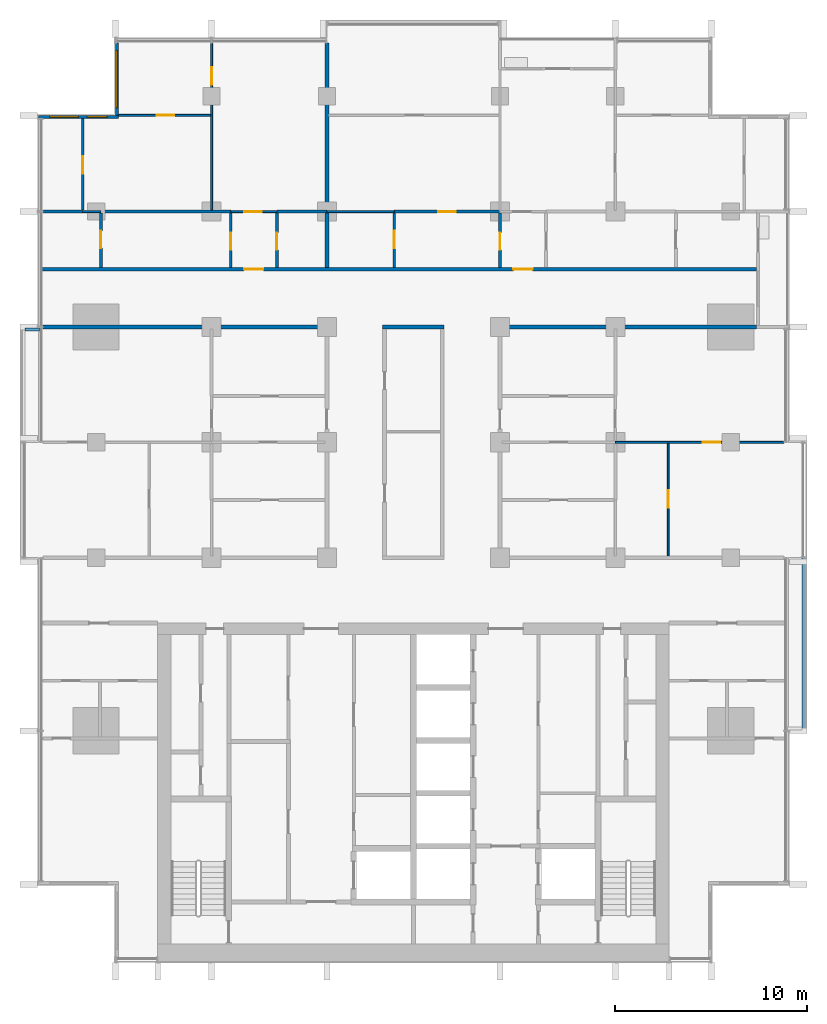
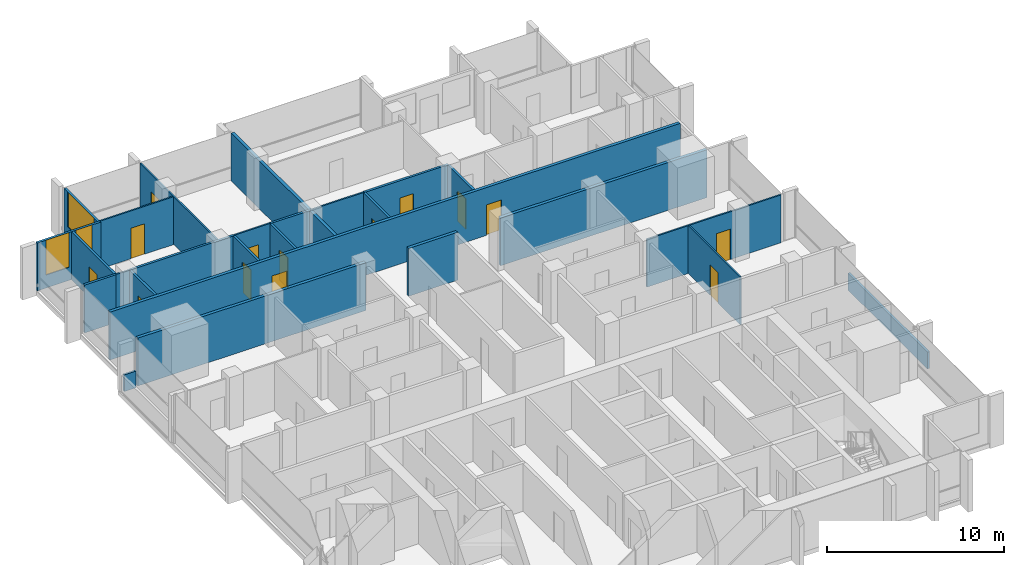
# One storey, part 10 of 17: 27 walls, 14 doors, 3 windows, 17 openings.
"""IFC4 building model written with IfcOpenShell, lengths in metres."""

from ifc_helpers import new_model, si_unit, direction, frame, frame_2d, origin, place, context, subcontext, project, spatial, rectangle, extrude, material, layer, layer_set, type_object, element, fill, save


model = new_model("IFC4")

# Units and contexts
model_context = context("Model", 3, precision=1e-05, world=origin(), true_north=direction((0.0, 1.0)))
body_context = subcontext(model_context, "Body", "Model", "MODEL_VIEW")
ifc_project = project(units=[si_unit("LENGTHUNIT", "METRE"), si_unit("AREAUNIT", "SQUARE_METRE"), si_unit("VOLUMEUNIT", "CUBIC_METRE"), si_unit("PLANEANGLEUNIT", "RADIAN"), si_unit("MASSUNIT", "GRAM", prefix="KILO")], contexts=[model_context])

# Site, building, storey
site_placement = place(None, origin())
site = spatial("IfcSite", under=ifc_project, at=site_placement, CompositionType="ELEMENT")
building_placement = place(site_placement, origin())
building = spatial("IfcBuilding", under=site, at=building_placement, Name="Finial Court Residences", CompositionType="ELEMENT")
storey_placement = place(building_placement, frame((0.0, 0.0, 170.89990234375)))
storey = spatial("IfcBuildingStorey", under=building, at=storey_placement, Name="L42", CompositionType="ELEMENT", Elevation=170.89990234375)

# Walls
ifc_material_1 = material(Name="Gypsum board")
ifc_layer_1 = layer(ifc_material_1, 0.02490234375)
ifc_material_2 = material(Name="Acoustic mineral wool in double frame")
ifc_layer_2 = layer(ifc_material_2, 0.14990234375)
ifc_layer_3 = layer(ifc_material_1, 0.02490234375)
ifc_layer_set_1 = layer_set([ifc_layer_1, ifc_layer_2, ifc_layer_3], Name="Acoustic party wall 200, 1 hour")
wall_type_1 = type_object("IfcWallType", Name="Acoustic party wall 200, 1 hour", PredefinedType="PARTITIONING", material=ifc_layer_set_1)
wall_1_placement = place(storey_placement, frame((-4.5, 10.60009765625, 0.0), z_axis=(0.0, 0.0, 1.0), x_axis=(0.0, 1.0, 0.0)))
element("IfcWall", 1, at=wall_1_placement, inside=storey, type_object=wall_type_1, Name="Partition L42-048", PredefinedType="PARTITIONING", context=body_context, shape_type="SweptSolid", body=[
    extrude(rectangle(XDim=2.824951171875, YDim=0.199951171875, at=frame_2d((1.41259765625, 0.0))), origin(), (0.0, 0.0, 1.0), 3.300048828125),
])
wall_2_placement = place(storey_placement, frame((-4.5, 13.574951171875, 0.0), z_axis=(0.0, 0.0, 1.0), x_axis=(0.0, 1.0, 0.0)))
element("IfcWall", 2, at=wall_2_placement, inside=storey, type_object=wall_type_1, Name="Partition L42-049", PredefinedType="PARTITIONING", context=body_context, shape_type="SweptSolid", body=[
    extrude(rectangle(XDim=8.6875, YDim=0.199951171875, at=frame_2d((4.34375, 0.0))), origin(), (0.0, 0.0, 1.0), 3.300048828125),
])
ifc_layer_4 = layer(ifc_material_1, 0.02490234375)
ifc_layer_5 = layer(ifc_material_2, 0.14990234375)
ifc_layer_6 = layer(ifc_material_1, 0.02490234375)
ifc_layer_set_2 = layer_set([ifc_layer_4, ifc_layer_5, ifc_layer_6], Name="Corridor wall 200, 1 hour")
wall_type_2 = type_object("IfcWallType", Name="Corridor wall 200, 1 hour", PredefinedType="PARTITIONING", material=ifc_layer_set_2)
wall_3_placement = place(storey_placement, frame((-19.262451171875, 7.5, 0.0), z_axis=(0.0, 0.0, 1.0), x_axis=(1.0, 0.0, 0.0)))
element("IfcWall", 3, at=wall_3_placement, inside=storey, type_object=wall_type_2, Name="Partition L42-018", PredefinedType="PARTITIONING", context=body_context, shape_type="SweptSolid", body=[
    extrude(rectangle(XDim=14.862548828125, YDim=0.199951171875, at=frame_2d((7.43115234375, 0.0))), origin(), (0.0, 0.0, 1.0), 3.300048828125),
])
wall_4_placement = place(storey_placement, frame((-1.60009765625, 7.5, 0.0), z_axis=(0.0, 0.0, 1.0), x_axis=(1.0, 0.0, 0.0)))
element("IfcWall", 4, at=wall_4_placement, inside=storey, type_object=wall_type_2, Name="Partition L42-019", PredefinedType="PARTITIONING", context=body_context, shape_type="SweptSolid", body=[
    extrude(rectangle(XDim=3.2001953125, YDim=0.199951171875, at=frame_2d((1.60009765625, 0.0))), origin(), (0.0, 0.0, 1.0), 3.300048828125),
])
wall_5_placement = place(storey_placement, frame((4.39990234375, 7.5, 0.0), z_axis=(0.0, 0.0, 1.0), x_axis=(1.0, 0.0, 0.0)))
element("IfcWall", 5, at=wall_5_placement, inside=storey, type_object=wall_type_2, Name="Partition L42-020", PredefinedType="PARTITIONING", context=body_context, shape_type="SweptSolid", body=[
    extrude(rectangle(XDim=13.4501953125, YDim=0.199951171875, at=frame_2d((6.72509765625, 0.0))), origin(), (0.0, 0.0, 1.0), 3.300048828125),
])

# Wall, openings, doors
wall_6_placement = place(storey_placement, frame((-19.35009765625, 10.5, 0.0), z_axis=(0.0, 0.0, 1.0), x_axis=(1.0, 0.0, 0.0)))
wall_6 = element("IfcWall", 6, at=wall_6_placement, inside=storey, type_object=wall_type_2, Name="Partition L42-021", PredefinedType="PARTITIONING", context=body_context, shape_type="SweptSolid", body=[
    extrude(rectangle(XDim=37.2001953125, YDim=0.199951171875, at=frame_2d((18.60009765625, 0.0))), origin(), (0.0, 0.0, 1.0), 3.300048828125),
])
opening_1_placement = place(wall_6_placement, frame((10.550048828125, 0.0, 0.0)))
opening_1 = element("IfcOpeningElement", 7, at=opening_1_placement, cuts=wall_6, Name="Opening L42-D017", PredefinedType="OPENING", context=body_context, shape_type="SweptSolid", body=[
    extrude(rectangle(XDim=1.0, YDim=2.10009765625, at=frame_2d((0.5, 1.050048828125))), frame((0.0, 0.10986328125, 0.0), z_axis=(0.0, -1.0, 0.0), x_axis=(1.0, 0.0, 0.0)), (0.0, 0.0, 1.0), 0.219970703125),
])
opening_2_placement = place(wall_6_placement, frame((24.550048828125, 0.0, 0.0)))
opening_2 = element("IfcOpeningElement", 8, at=opening_2_placement, cuts=wall_6, Name="Opening L42-D018", PredefinedType="OPENING", context=body_context, shape_type="SweptSolid", body=[
    extrude(rectangle(XDim=1.0, YDim=2.10009765625, at=frame_2d((0.5, 1.050048828125))), frame((0.0, 0.10986328125, 0.0), z_axis=(0.0, -1.0, 0.0), x_axis=(1.0, 0.0, 0.0)), (0.0, 0.0, 1.0), 0.219970703125),
])
ifc_material_3 = material(Name="Timber door leaf in hollow metal frame", Category="wood")
door_type_1 = type_object("IfcDoorType", Name="Fire door set 1000 x 2100, 30 minutes", OperationType="SINGLE_SWING_LEFT", PredefinedType="DOOR", material=ifc_material_3)
door_1_placement = place(opening_1_placement, origin())
door_1 = element("IfcDoor", 9, at=door_1_placement, inside=storey, type_object=door_type_1, Name="Door L42-D017", OperationType="SINGLE_SWING_RIGHT", OverallHeight=2.10009765625, OverallWidth=1.0, PredefinedType="DOOR", context=body_context, shape_type="SweptSolid", body=[
    extrude(rectangle(XDim=1.0, YDim=2.10009765625, at=frame_2d((0.5, 1.050048828125))), frame((0.0, 0.02490234375, 0.0), z_axis=(0.0, -1.0, 0.0), x_axis=(1.0, 0.0, 0.0)), (0.0, 0.0, 1.0), 0.050048828125),
])
fill(opening_1, door_1)
door_2_placement = place(opening_2_placement, origin())
door_2 = element("IfcDoor", 10, at=door_2_placement, inside=storey, type_object=door_type_1, Name="Door L42-D018", OperationType="SINGLE_SWING_LEFT", OverallHeight=2.10009765625, OverallWidth=1.0, PredefinedType="DOOR", context=body_context, shape_type="SweptSolid", body=[
    extrude(rectangle(XDim=1.0, YDim=2.10009765625, at=frame_2d((0.5, 1.050048828125))), frame((0.0, 0.02490234375, 0.0), z_axis=(0.0, -1.0, 0.0), x_axis=(1.0, 0.0, 0.0)), (0.0, 0.0, 1.0), 0.050048828125),
])
fill(opening_2, door_2)

# Wall, opening, door
ifc_layer_7 = layer(ifc_material_1, 0.012451171875)
ifc_material_4 = material(Name="Mineral wool in light-gauge frame")
ifc_layer_8 = layer(ifc_material_4, 0.074951171875)
ifc_layer_9 = layer(ifc_material_1, 0.012451171875)
ifc_layer_set_3 = layer_set([ifc_layer_7, ifc_layer_8, ifc_layer_9], Name="Gypsum board partition 100")
wall_type_3 = type_object("IfcWallType", Name="Gypsum board partition 100", PredefinedType="PARTITIONING", material=ifc_layer_set_3)
wall_7_placement = place(storey_placement, frame((10.5, 1.5, 0.0), z_axis=(0.0, 0.0, 1.0), x_axis=(1.0, 0.0, 0.0)))
wall_7 = element("IfcWall", 11, at=wall_7_placement, inside=storey, type_object=wall_type_3, Name="Partition L42-012", PredefinedType="PARTITIONING", context=body_context, shape_type="SweptSolid", body=[
    extrude(rectangle(XDim=8.762451171875, YDim=0.10009765625, at=frame_2d((4.38134765625, 0.0))), origin(), (0.0, 0.0, 1.0), 3.300048828125),
])
opening_3_placement = place(wall_7_placement, frame((4.550048828125, 0.0, 0.0)))
opening_3 = element("IfcOpeningElement", 12, at=opening_3_placement, cuts=wall_7, Name="Opening L42-D012", PredefinedType="OPENING", context=body_context, shape_type="SweptSolid", body=[
    extrude(rectangle(XDim=0.89990234375, YDim=2.10009765625, at=frame_2d((0.449951171875, 1.050048828125))), frame((0.0, 0.06005859375, 0.0), z_axis=(0.0, -1.0, 0.0), x_axis=(1.0, 0.0, 0.0)), (0.0, 0.0, 1.0), 0.1201171875),
])
ifc_material_5 = material(Name="Timber door leaf in timber frame", Category="wood")
door_type_2 = type_object("IfcDoorType", Name="Door set 900 x 2100", OperationType="SINGLE_SWING_LEFT", PredefinedType="DOOR", material=ifc_material_5)
door_3_placement = place(opening_3_placement, origin())
door_3 = element("IfcDoor", 13, at=door_3_placement, inside=storey, type_object=door_type_2, Name="Door L42-D012", OperationType="SINGLE_SWING_RIGHT", OverallHeight=2.10009765625, OverallWidth=0.89990234375, PredefinedType="DOOR", context=body_context, shape_type="SweptSolid", body=[
    extrude(rectangle(XDim=0.89990234375, YDim=2.10009765625, at=frame_2d((0.449951171875, 1.050048828125))), frame((0.0, 0.02490234375, 0.0), z_axis=(0.0, -1.0, 0.0), x_axis=(1.0, 0.0, 0.0)), (0.0, 0.0, 1.0), 0.050048828125),
])
fill(opening_3, door_3)

# Wall
wall_8_placement = place(storey_placement, frame((-17.199951171875, 13.5, 0.0), z_axis=(0.0, 0.0, 1.0), x_axis=(1.0, 0.0, 0.0)))
element("IfcWall", 14, at=wall_8_placement, inside=storey, type_object=wall_type_3, Name="Partition L42-022", PredefinedType="PARTITIONING", context=body_context, shape_type="SweptSolid", body=[
    extrude(rectangle(XDim=0.949951171875, YDim=0.10009765625, at=frame_2d((0.47509765625, 0.0))), origin(), (0.0, 0.0, 1.0), 3.300048828125),
])

# Wall, opening, door
wall_9_placement = place(storey_placement, frame((-9.5, 13.5, 0.0), z_axis=(0.0, 0.0, 1.0), x_axis=(1.0, 0.0, 0.0)))
wall_9 = element("IfcWall", 15, at=wall_9_placement, inside=storey, type_object=wall_type_3, Name="Partition L42-023", PredefinedType="PARTITIONING", context=body_context, shape_type="SweptSolid", body=[
    extrude(rectangle(XDim=2.39990234375, YDim=0.10009765625, at=frame_2d((1.199951171875, 0.0))), origin(), (0.0, 0.0, 1.0), 3.300048828125),
])
opening_4_placement = place(wall_9_placement, frame((0.699951171875, 0.0, 0.0)))
opening_4 = element("IfcOpeningElement", 16, at=opening_4_placement, cuts=wall_9, Name="Opening L42-D019", PredefinedType="OPENING", context=body_context, shape_type="SweptSolid", body=[
    extrude(rectangle(XDim=0.89990234375, YDim=2.10009765625, at=frame_2d((0.449951171875, 1.050048828125))), frame((0.0, 0.06005859375, 0.0), z_axis=(0.0, -1.0, 0.0), x_axis=(1.0, 0.0, 0.0)), (0.0, 0.0, 1.0), 0.1201171875),
])
door_4_placement = place(opening_4_placement, origin())
door_4 = element("IfcDoor", 17, at=door_4_placement, inside=storey, type_object=door_type_2, Name="Door L42-D019", OperationType="SINGLE_SWING_LEFT", OverallHeight=2.10009765625, OverallWidth=0.89990234375, PredefinedType="DOOR", context=body_context, shape_type="SweptSolid", body=[
    extrude(rectangle(XDim=0.89990234375, YDim=2.10009765625, at=frame_2d((0.449951171875, 1.050048828125))), frame((0.0, 0.02490234375, 0.0), z_axis=(0.0, -1.0, 0.0), x_axis=(1.0, 0.0, 0.0)), (0.0, 0.0, 1.0), 0.050048828125),
])
fill(opening_4, door_4)

# Wall
wall_10_placement = place(storey_placement, frame((-4.5, 13.5, 0.0), z_axis=(0.0, 0.0, 1.0), x_axis=(1.0, 0.0, 0.0)))
element("IfcWall", 18, at=wall_10_placement, inside=storey, type_object=wall_type_3, Name="Partition L42-024", PredefinedType="PARTITIONING", context=body_context, shape_type="SweptSolid", body=[
    extrude(rectangle(XDim=3.5, YDim=0.10009765625, at=frame_2d((1.75, 0.0))), origin(), (0.0, 0.0, 1.0), 3.300048828125),
])

# Wall, opening, door
wall_11_placement = place(storey_placement, frame((-15.35009765625, 18.5, 0.0), z_axis=(0.0, 0.0, 1.0), x_axis=(1.0, 0.0, 0.0)))
wall_11 = element("IfcWall", 19, at=wall_11_placement, inside=storey, type_object=wall_type_3, Name="Partition L42-033", PredefinedType="PARTITIONING", context=body_context, shape_type="SweptSolid", body=[
    extrude(rectangle(XDim=4.800048828125, YDim=0.10009765625, at=frame_2d((2.39990234375, 0.0))), origin(), (0.0, 0.0, 1.0), 3.300048828125),
])
opening_5_placement = place(wall_11_placement, frame((2.0, 0.0, 0.0)))
opening_5 = element("IfcOpeningElement", 20, at=opening_5_placement, cuts=wall_11, Name="Opening L42-D022", PredefinedType="OPENING", context=body_context, shape_type="SweptSolid", body=[
    extrude(rectangle(XDim=0.89990234375, YDim=2.10009765625, at=frame_2d((0.449951171875, 1.050048828125))), frame((0.0, 0.06005859375, 0.0), z_axis=(0.0, -1.0, 0.0), x_axis=(1.0, 0.0, 0.0)), (0.0, 0.0, 1.0), 0.1201171875),
])
door_5_placement = place(opening_5_placement, origin())
door_5 = element("IfcDoor", 21, at=door_5_placement, inside=storey, type_object=door_type_2, Name="Door L42-D022", OperationType="SINGLE_SWING_RIGHT", OverallHeight=2.10009765625, OverallWidth=0.89990234375, PredefinedType="DOOR", context=body_context, shape_type="SweptSolid", body=[
    extrude(rectangle(XDim=0.89990234375, YDim=2.10009765625, at=frame_2d((0.449951171875, 1.050048828125))), frame((0.0, 0.02490234375, 0.0), z_axis=(0.0, -1.0, 0.0), x_axis=(1.0, 0.0, 0.0)), (0.0, 0.0, 1.0), 0.050048828125),
])
fill(opening_5, door_5)

wall_12_placement = place(storey_placement, frame((-10.5, 13.574951171875, 0.0), z_axis=(0.0, 0.0, 1.0), x_axis=(0.0, 1.0, 0.0)))
wall_12 = element("IfcWall", 22, at=wall_12_placement, inside=storey, type_object=wall_type_3, Name="Partition L42-042", PredefinedType="PARTITIONING", context=body_context, shape_type="SweptSolid", body=[
    extrude(rectangle(XDim=8.6875, YDim=0.10009765625, at=frame_2d((4.34375, 0.0))), origin(), (0.0, 0.0, 1.0), 3.300048828125),
])
opening_6_placement = place(wall_12_placement, frame((6.52490234375, 0.0, 0.0)))
opening_6 = element("IfcOpeningElement", 23, at=opening_6_placement, cuts=wall_12, Name="Opening L42-D029", PredefinedType="OPENING", context=body_context, shape_type="SweptSolid", body=[
    extrude(rectangle(XDim=0.89990234375, YDim=2.10009765625, at=frame_2d((0.449951171875, 1.050048828125))), frame((0.0, 0.06005859375, 0.0), z_axis=(0.0, -1.0, 0.0), x_axis=(1.0, 0.0, 0.0)), (0.0, 0.0, 1.0), 0.1201171875),
])
door_6_placement = place(opening_6_placement, origin())
door_6 = element("IfcDoor", 24, at=door_6_placement, inside=storey, type_object=door_type_2, Name="Door L42-D029", OperationType="SINGLE_SWING_LEFT", OverallHeight=2.10009765625, OverallWidth=0.89990234375, PredefinedType="DOOR", context=body_context, shape_type="SweptSolid", body=[
    extrude(rectangle(XDim=0.89990234375, YDim=2.10009765625, at=frame_2d((0.449951171875, 1.050048828125))), frame((0.0, 0.02490234375, 0.0), z_axis=(0.0, -1.0, 0.0), x_axis=(1.0, 0.0, 0.0)), (0.0, 0.0, 1.0), 0.050048828125),
])
fill(opening_6, door_6)

wall_13_placement = place(storey_placement, frame((13.25, -4.39990234375, 0.0), z_axis=(0.0, 0.0, 1.0), x_axis=(0.0, 1.0, 0.0)))
wall_13 = element("IfcWall", 25, at=wall_13_placement, inside=storey, type_object=wall_type_3, Name="Partition L42-062", PredefinedType="PARTITIONING", context=body_context, shape_type="SweptSolid", body=[
    extrude(rectangle(XDim=5.849853515625, YDim=0.10009765625, at=frame_2d((2.9248046875, 0.0))), origin(), (0.0, 0.0, 1.0), 3.300048828125),
])
opening_7_placement = place(wall_13_placement, frame((2.5, 0.0, 0.0)))
opening_7 = element("IfcOpeningElement", 26, at=opening_7_placement, cuts=wall_13, Name="Opening L42-D041", PredefinedType="OPENING", context=body_context, shape_type="SweptSolid", body=[
    extrude(rectangle(XDim=0.89990234375, YDim=2.10009765625, at=frame_2d((0.449951171875, 1.050048828125))), frame((0.0, 0.06005859375, 0.0), z_axis=(0.0, -1.0, 0.0), x_axis=(1.0, 0.0, 0.0)), (0.0, 0.0, 1.0), 0.1201171875),
])
door_7_placement = place(opening_7_placement, origin())
door_7 = element("IfcDoor", 27, at=door_7_placement, inside=storey, type_object=door_type_2, Name="Door L42-D041", OperationType="SINGLE_SWING_LEFT", OverallHeight=2.10009765625, OverallWidth=0.89990234375, PredefinedType="DOOR", context=body_context, shape_type="SweptSolid", body=[
    extrude(rectangle(XDim=0.89990234375, YDim=2.10009765625, at=frame_2d((0.449951171875, 1.050048828125))), frame((0.0, 0.02490234375, 0.0), z_axis=(0.0, -1.0, 0.0), x_axis=(1.0, 0.0, 0.0)), (0.0, 0.0, 1.0), 0.050048828125),
])
fill(opening_7, door_7)

# Walls
ifc_material_6 = material(Name="Moisture-resistant gypsum board")
ifc_layer_10 = layer(ifc_material_6, 0.012451171875)
ifc_layer_11 = layer(ifc_material_4, 0.125)
ifc_layer_12 = layer(ifc_material_6, 0.012451171875)
ifc_layer_set_4 = layer_set([ifc_layer_10, ifc_layer_11, ifc_layer_12], Name="Gypsum board wet-area partition 150")
wall_type_4 = type_object("IfcWallType", Name="Gypsum board wet-area partition 150", PredefinedType="PARTITIONING", material=ifc_layer_set_4)
wall_14_placement = place(storey_placement, frame((-19.262451171875, 13.5, 0.0), z_axis=(0.0, 0.0, 1.0), x_axis=(1.0, 0.0, 0.0)))
element("IfcWall", 28, at=wall_14_placement, inside=storey, type_object=wall_type_4, Name="Partition L42-027", PredefinedType="PARTITIONING", context=body_context, shape_type="SweptSolid", body=[
    extrude(rectangle(XDim=2.0625, YDim=0.14990234375, at=frame_2d((1.03125, 0.0))), origin(), (0.0, 0.0, 1.0), 3.300048828125),
])
wall_15_placement = place(storey_placement, frame((-16.25, 13.5, 0.0), z_axis=(0.0, 0.0, 1.0), x_axis=(1.0, 0.0, 0.0)))
element("IfcWall", 29, at=wall_15_placement, inside=storey, type_object=wall_type_4, Name="Partition L42-028", PredefinedType="PARTITIONING", context=body_context, shape_type="SweptSolid", body=[
    extrude(rectangle(XDim=6.75, YDim=0.14990234375, at=frame_2d((3.375, 0.0))), origin(), (0.0, 0.0, 1.0), 3.300048828125),
])
wall_16_placement = place(storey_placement, frame((-7.10009765625, 13.5, 0.0), z_axis=(0.0, 0.0, 1.0), x_axis=(1.0, 0.0, 0.0)))
element("IfcWall", 30, at=wall_16_placement, inside=storey, type_object=wall_type_4, Name="Partition L42-029", PredefinedType="PARTITIONING", context=body_context, shape_type="SweptSolid", body=[
    extrude(rectangle(XDim=2.60009765625, YDim=0.14990234375, at=frame_2d((1.300048828125, 0.0))), origin(), (0.0, 0.0, 1.0), 3.300048828125),
])

# Wall, opening, door
wall_17_placement = place(storey_placement, frame((-1.0, 13.5, 0.0), z_axis=(0.0, 0.0, 1.0), x_axis=(1.0, 0.0, 0.0)))
wall_17 = element("IfcWall", 31, at=wall_17_placement, inside=storey, type_object=wall_type_4, Name="Partition L42-030", PredefinedType="PARTITIONING", context=body_context, shape_type="SweptSolid", body=[
    extrude(rectangle(XDim=5.5, YDim=0.14990234375, at=frame_2d((2.75, 0.0))), origin(), (0.0, 0.0, 1.0), 3.300048828125),
])
opening_8_placement = place(wall_17_placement, frame((2.300048828125, 0.0, 0.0)))
opening_8 = element("IfcOpeningElement", 32, at=opening_8_placement, cuts=wall_17, Name="Opening L42-D021", PredefinedType="OPENING", context=body_context, shape_type="SweptSolid", body=[
    extrude(rectangle(XDim=0.89990234375, YDim=2.10009765625, at=frame_2d((0.449951171875, 1.050048828125))), frame((0.0, 0.0849609375, 0.0), z_axis=(0.0, -1.0, 0.0), x_axis=(1.0, 0.0, 0.0)), (0.0, 0.0, 1.0), 0.169921875),
])
door_8_placement = place(opening_8_placement, origin())
door_8 = element("IfcDoor", 33, at=door_8_placement, inside=storey, type_object=door_type_2, Name="Door L42-D021", OperationType="SINGLE_SWING_LEFT", OverallHeight=2.10009765625, OverallWidth=0.89990234375, PredefinedType="DOOR", context=body_context, shape_type="SweptSolid", body=[
    extrude(rectangle(XDim=0.89990234375, YDim=2.10009765625, at=frame_2d((0.449951171875, 1.050048828125))), frame((0.0, 0.02490234375, 0.0), z_axis=(0.0, -1.0, 0.0), x_axis=(1.0, 0.0, 0.0)), (0.0, 0.0, 1.0), 0.050048828125),
])
fill(opening_8, door_8)

wall_18_placement = place(storey_placement, frame((-17.199951171875, 13.574951171875, 0.0), z_axis=(0.0, 0.0, 1.0), x_axis=(0.0, 1.0, 0.0)))
wall_18 = element("IfcWall", 34, at=wall_18_placement, inside=storey, type_object=wall_type_4, Name="Partition L42-036", PredefinedType="PARTITIONING", context=body_context, shape_type="SweptSolid", body=[
    extrude(rectangle(XDim=4.775146484375, YDim=0.14990234375, at=frame_2d((2.3876953125, 0.0))), origin(), (0.0, 0.0, 1.0), 3.300048828125),
])
opening_9_placement = place(wall_18_placement, frame((1.89990234375, 0.0, 0.0)))
opening_9 = element("IfcOpeningElement", 35, at=opening_9_placement, cuts=wall_18, Name="Opening L42-D025", PredefinedType="OPENING", context=body_context, shape_type="SweptSolid", body=[
    extrude(rectangle(XDim=0.89990234375, YDim=2.10009765625, at=frame_2d((0.449951171875, 1.050048828125))), frame((0.0, 0.0849609375, 0.0), z_axis=(0.0, -1.0, 0.0), x_axis=(1.0, 0.0, 0.0)), (0.0, 0.0, 1.0), 0.169921875),
])
door_9_placement = place(opening_9_placement, origin())
door_9 = element("IfcDoor", 36, at=door_9_placement, inside=storey, type_object=door_type_2, Name="Door L42-D025", OperationType="SINGLE_SWING_LEFT", OverallHeight=2.10009765625, OverallWidth=0.89990234375, PredefinedType="DOOR", context=body_context, shape_type="SweptSolid", body=[
    extrude(rectangle(XDim=0.89990234375, YDim=2.10009765625, at=frame_2d((0.449951171875, 1.050048828125))), frame((0.0, 0.02490234375, 0.0), z_axis=(0.0, -1.0, 0.0), x_axis=(1.0, 0.0, 0.0)), (0.0, 0.0, 1.0), 0.050048828125),
])
fill(opening_9, door_9)

wall_19_placement = place(storey_placement, frame((-16.25, 10.60009765625, 0.0), z_axis=(0.0, 0.0, 1.0), x_axis=(0.0, 1.0, 0.0)))
wall_19 = element("IfcWall", 37, at=wall_19_placement, inside=storey, type_object=wall_type_4, Name="Partition L42-038", PredefinedType="PARTITIONING", context=body_context, shape_type="SweptSolid", body=[
    extrude(rectangle(XDim=2.824951171875, YDim=0.14990234375, at=frame_2d((1.41259765625, 0.0))), origin(), (0.0, 0.0, 1.0), 3.300048828125),
])
opening_10_placement = place(wall_19_placement, frame((1.0, 0.0, 0.0)))
opening_10 = element("IfcOpeningElement", 38, at=opening_10_placement, cuts=wall_19, Name="Opening L42-D026", PredefinedType="OPENING", context=body_context, shape_type="SweptSolid", body=[
    extrude(rectangle(XDim=0.89990234375, YDim=2.10009765625, at=frame_2d((0.449951171875, 1.050048828125))), frame((0.0, 0.0849609375, 0.0), z_axis=(0.0, -1.0, 0.0), x_axis=(1.0, 0.0, 0.0)), (0.0, 0.0, 1.0), 0.169921875),
])
door_10_placement = place(opening_10_placement, origin())
door_10 = element("IfcDoor", 39, at=door_10_placement, inside=storey, type_object=door_type_2, Name="Door L42-D026", OperationType="SINGLE_SWING_RIGHT", OverallHeight=2.10009765625, OverallWidth=0.89990234375, PredefinedType="DOOR", context=body_context, shape_type="SweptSolid", body=[
    extrude(rectangle(XDim=0.89990234375, YDim=2.10009765625, at=frame_2d((0.449951171875, 1.050048828125))), frame((0.0, 0.02490234375, 0.0), z_axis=(0.0, -1.0, 0.0), x_axis=(1.0, 0.0, 0.0)), (0.0, 0.0, 1.0), 0.050048828125),
])
fill(opening_10, door_10)

wall_20_placement = place(storey_placement, frame((-9.5, 10.60009765625, 0.0), z_axis=(0.0, 0.0, 1.0), x_axis=(0.0, 1.0, 0.0)))
wall_20 = element("IfcWall", 40, at=wall_20_placement, inside=storey, type_object=wall_type_4, Name="Partition L42-045", PredefinedType="PARTITIONING", context=body_context, shape_type="SweptSolid", body=[
    extrude(rectangle(XDim=2.824951171875, YDim=0.14990234375, at=frame_2d((1.41259765625, 0.0))), origin(), (0.0, 0.0, 1.0), 3.300048828125),
])
opening_11_placement = place(wall_20_placement, frame((0.89990234375, 0.0, 0.0)))
opening_11 = element("IfcOpeningElement", 41, at=opening_11_placement, cuts=wall_20, Name="Opening L42-D030", PredefinedType="OPENING", context=body_context, shape_type="SweptSolid", body=[
    extrude(rectangle(XDim=0.89990234375, YDim=2.10009765625, at=frame_2d((0.449951171875, 1.050048828125))), frame((0.0, 0.0849609375, 0.0), z_axis=(0.0, -1.0, 0.0), x_axis=(1.0, 0.0, 0.0)), (0.0, 0.0, 1.0), 0.169921875),
])
door_11_placement = place(opening_11_placement, origin())
door_11 = element("IfcDoor", 42, at=door_11_placement, inside=storey, type_object=door_type_2, Name="Door L42-D030", OperationType="SINGLE_SWING_LEFT", OverallHeight=2.10009765625, OverallWidth=0.89990234375, PredefinedType="DOOR", context=body_context, shape_type="SweptSolid", body=[
    extrude(rectangle(XDim=0.89990234375, YDim=2.10009765625, at=frame_2d((0.449951171875, 1.050048828125))), frame((0.0, 0.02490234375, 0.0), z_axis=(0.0, -1.0, 0.0), x_axis=(1.0, 0.0, 0.0)), (0.0, 0.0, 1.0), 0.050048828125),
])
fill(opening_11, door_11)

wall_21_placement = place(storey_placement, frame((-7.10009765625, 10.60009765625, 0.0), z_axis=(0.0, 0.0, 1.0), x_axis=(0.0, 1.0, 0.0)))
wall_21 = element("IfcWall", 43, at=wall_21_placement, inside=storey, type_object=wall_type_4, Name="Partition L42-046", PredefinedType="PARTITIONING", context=body_context, shape_type="SweptSolid", body=[
    extrude(rectangle(XDim=2.824951171875, YDim=0.14990234375, at=frame_2d((1.41259765625, 0.0))), origin(), (0.0, 0.0, 1.0), 3.300048828125),
])
opening_12_placement = place(wall_21_placement, frame((0.89990234375, 0.0, 0.0)))
opening_12 = element("IfcOpeningElement", 44, at=opening_12_placement, cuts=wall_21, Name="Opening L42-D031", PredefinedType="OPENING", context=body_context, shape_type="SweptSolid", body=[
    extrude(rectangle(XDim=0.89990234375, YDim=2.10009765625, at=frame_2d((0.449951171875, 1.050048828125))), frame((0.0, 0.0849609375, 0.0), z_axis=(0.0, -1.0, 0.0), x_axis=(1.0, 0.0, 0.0)), (0.0, 0.0, 1.0), 0.169921875),
])
door_12_placement = place(opening_12_placement, origin())
door_12 = element("IfcDoor", 45, at=door_12_placement, inside=storey, type_object=door_type_2, Name="Door L42-D031", OperationType="SINGLE_SWING_RIGHT", OverallHeight=2.10009765625, OverallWidth=0.89990234375, PredefinedType="DOOR", context=body_context, shape_type="SweptSolid", body=[
    extrude(rectangle(XDim=0.89990234375, YDim=2.10009765625, at=frame_2d((0.449951171875, 1.050048828125))), frame((0.0, 0.02490234375, 0.0), z_axis=(0.0, -1.0, 0.0), x_axis=(1.0, 0.0, 0.0)), (0.0, 0.0, 1.0), 0.050048828125),
])
fill(opening_12, door_12)

wall_22_placement = place(storey_placement, frame((-1.0, 10.60009765625, 0.0), z_axis=(0.0, 0.0, 1.0), x_axis=(0.0, 1.0, 0.0)))
wall_22 = element("IfcWall", 46, at=wall_22_placement, inside=storey, type_object=wall_type_4, Name="Partition L42-051", PredefinedType="PARTITIONING", context=body_context, shape_type="SweptSolid", body=[
    extrude(rectangle(XDim=2.824951171875, YDim=0.14990234375, at=frame_2d((1.41259765625, 0.0))), origin(), (0.0, 0.0, 1.0), 3.300048828125),
])
opening_13_placement = place(wall_22_placement, frame((1.0, 0.0, 0.0)))
opening_13 = element("IfcOpeningElement", 47, at=opening_13_placement, cuts=wall_22, Name="Opening L42-D035", PredefinedType="OPENING", context=body_context, shape_type="SweptSolid", body=[
    extrude(rectangle(XDim=0.89990234375, YDim=2.10009765625, at=frame_2d((0.449951171875, 1.050048828125))), frame((0.0, 0.0849609375, 0.0), z_axis=(0.0, -1.0, 0.0), x_axis=(1.0, 0.0, 0.0)), (0.0, 0.0, 1.0), 0.169921875),
])
door_13_placement = place(opening_13_placement, origin())
door_13 = element("IfcDoor", 48, at=door_13_placement, inside=storey, type_object=door_type_2, Name="Door L42-D035", OperationType="SINGLE_SWING_LEFT", OverallHeight=2.10009765625, OverallWidth=0.89990234375, PredefinedType="DOOR", context=body_context, shape_type="SweptSolid", body=[
    extrude(rectangle(XDim=0.89990234375, YDim=2.10009765625, at=frame_2d((0.449951171875, 1.050048828125))), frame((0.0, 0.02490234375, 0.0), z_axis=(0.0, -1.0, 0.0), x_axis=(1.0, 0.0, 0.0)), (0.0, 0.0, 1.0), 0.050048828125),
])
fill(opening_13, door_13)

wall_23_placement = place(storey_placement, frame((4.5, 10.60009765625, 0.0), z_axis=(0.0, 0.0, 1.0), x_axis=(0.0, 1.0, 0.0)))
wall_23 = element("IfcWall", 49, at=wall_23_placement, inside=storey, type_object=wall_type_4, Name="Partition L42-055", PredefinedType="PARTITIONING", context=body_context, shape_type="SweptSolid", body=[
    extrude(rectangle(XDim=2.824951171875, YDim=0.14990234375, at=frame_2d((1.41259765625, 0.0))), origin(), (0.0, 0.0, 1.0), 3.300048828125),
])
opening_14_placement = place(wall_23_placement, frame((0.89990234375, 0.0, 0.0)))
opening_14 = element("IfcOpeningElement", 50, at=opening_14_placement, cuts=wall_23, Name="Opening L42-D037", PredefinedType="OPENING", context=body_context, shape_type="SweptSolid", body=[
    extrude(rectangle(XDim=0.89990234375, YDim=2.10009765625, at=frame_2d((0.449951171875, 1.050048828125))), frame((0.0, 0.0849609375, 0.0), z_axis=(0.0, -1.0, 0.0), x_axis=(1.0, 0.0, 0.0)), (0.0, 0.0, 1.0), 0.169921875),
])
door_14_placement = place(opening_14_placement, origin())
door_14 = element("IfcDoor", 51, at=door_14_placement, inside=storey, type_object=door_type_2, Name="Door L42-D037", OperationType="SINGLE_SWING_RIGHT", OverallHeight=2.10009765625, OverallWidth=0.89990234375, PredefinedType="DOOR", context=body_context, shape_type="SweptSolid", body=[
    extrude(rectangle(XDim=0.89990234375, YDim=2.10009765625, at=frame_2d((0.449951171875, 1.050048828125))), frame((0.0, 0.02490234375, 0.0), z_axis=(0.0, -1.0, 0.0), x_axis=(1.0, 0.0, 0.0)), (0.0, 0.0, 1.0), 0.050048828125),
])
fill(opening_14, door_14)

# Walls
ifc_material_7 = material(Name="Concrete C35/45", Category="concrete")
ifc_layer_13 = layer(ifc_material_7, 0.14990234375)
ifc_layer_set_5 = layer_set([ifc_layer_13], Name="Ledge parapet, Concrete C35/45 150")
wall_type_5 = type_object("IfcWallType", Name="Ledge parapet, Concrete C35/45 150", PredefinedType="PARAPET", material=ifc_layer_set_5)
wall_24_placement = place(storey_placement, frame((-20.199951171875, 7.375, 0.0), z_axis=(0.0, 0.0, 1.0), x_axis=(1.0, 0.0, 0.0)))
element("IfcWall", 52, at=wall_24_placement, inside=storey, type_object=wall_type_5, Name="E-L42-LED1-P2", PredefinedType="PARAPET", context=body_context, shape_type="SweptSolid", body=[
    extrude(rectangle(XDim=0.75244140625, YDim=0.14990234375, at=frame_2d((0.376220703125, 0.0))), origin(), (0.0, 0.0, 1.0), 1.150146484375),
])
wall_25_placement = place(storey_placement, frame((20.27490234375, -4.447509765625, 0.0), z_axis=(0.0, 0.0, 1.0), x_axis=(0.0, -1.0, 0.0)))
element("IfcWall", 53, at=wall_25_placement, inside=storey, type_object=wall_type_5, Name="E-L42-LED2-P1", PredefinedType="PARAPET", context=body_context, shape_type="SweptSolid", body=[
    extrude(rectangle(XDim=9.00244140625, YDim=0.14990234375, at=frame_2d((4.501220703125, 0.0))), origin(), (0.0, 0.0, 1.0), 1.150146484375),
])

# Wall, opening, window
ifc_material_8 = material(Name="Natural limestone", Category="masonry")
ifc_layer_14 = layer(ifc_material_8, 0.14990234375)
ifc_layer_set_6 = layer_set([ifc_layer_14], Name="Limestone clad wall 150")
wall_type_6 = type_object("IfcWallType", Name="Limestone clad wall 150", PredefinedType="SOLIDWALL", material=ifc_layer_set_6)
wall_26_placement = place(storey_placement, frame((-15.425048828125, 18.5, 0.0), z_axis=(0.0, 0.0, 1.0), x_axis=(0.0, 1.0, 0.0)))
wall_26 = element("IfcWall", 54, at=wall_26_placement, inside=storey, type_object=wall_type_6, Name="E-L42-NWW17", PredefinedType="SOLIDWALL", context=body_context, shape_type="SweptSolid", body=[
    extrude(rectangle(XDim=3.762451171875, YDim=0.14990234375, at=frame_2d((1.88134765625, 0.0))), origin(), (0.0, 0.0, 1.0), 3.300048828125),
])
opening_15_placement = place(wall_26_placement, frame((0.4013671875, 0.0, 0.89990234375)))
opening_15 = element("IfcOpeningElement", 55, at=opening_15_placement, cuts=wall_26, Name="Opening WE42-05", PredefinedType="OPENING", context=body_context, shape_type="SweptSolid", body=[
    extrude(rectangle(XDim=2.9599609375, YDim=2.39990234375, at=frame_2d((1.47998046875, 1.199951171875))), frame((0.0, 0.0849609375, 0.0), z_axis=(0.0, -1.0, 0.0), x_axis=(1.0, 0.0, 0.0)), (0.0, 0.0, 1.0), 0.169921875),
])
ifc_material_9 = material(Name="Clear low-e glass", Category="glass")
window_type_1 = type_object("IfcWindowType", Name="Corner window 2960 x 2400", PartitioningType="SINGLE_PANEL", PredefinedType="WINDOW", material=ifc_material_9)
window_1_placement = place(opening_15_placement, origin())
window_1 = element("IfcWindow", 56, at=window_1_placement, inside=storey, type_object=window_type_1, Name="E-L42-NWW17-W1", OverallHeight=2.39990234375, OverallWidth=2.9599609375, PartitioningType="SINGLE_PANEL", PredefinedType="WINDOW", context=body_context, shape_type="SweptSolid", body=[
    extrude(rectangle(XDim=2.9599609375, YDim=2.39990234375, at=frame_2d((1.47998046875, 1.199951171875))), frame((0.0, 0.030029296875, 0.0), z_axis=(0.0, -1.0, 0.0), x_axis=(1.0, 0.0, 0.0)), (0.0, 0.0, 1.0), 0.06005859375),
])
fill(opening_15, window_1)

# Wall, openings, windows
wall_27_placement = place(storey_placement, frame((-19.5, 18.425048828125, 0.0), z_axis=(0.0, 0.0, 1.0), x_axis=(1.0, 0.0, 0.0)))
wall_27 = element("IfcWall", 57, at=wall_27_placement, inside=storey, type_object=wall_type_6, Name="E-L42-NWN18", PredefinedType="SOLIDWALL", context=body_context, shape_type="SweptSolid", body=[
    extrude(rectangle(XDim=4.14990234375, YDim=0.14990234375, at=frame_2d((2.074951171875, 0.0))), origin(), (0.0, 0.0, 1.0), 3.300048828125),
])
opening_16_placement = place(wall_27_placement, frame((0.574951171875, 0.0, 0.89990234375)))
opening_16 = element("IfcOpeningElement", 58, at=opening_16_placement, cuts=wall_27, Name="Opening WE42-06", PredefinedType="OPENING", context=body_context, shape_type="SweptSolid", body=[
    extrude(rectangle(XDim=1.5, YDim=2.39990234375, at=frame_2d((0.75, 1.199951171875))), frame((0.0, 0.0849609375, 0.0), z_axis=(0.0, -1.0, 0.0), x_axis=(1.0, 0.0, 0.0)), (0.0, 0.0, 1.0), 0.169921875),
])
opening_17_placement = place(wall_27_placement, frame((2.52490234375, 0.0, 0.89990234375)))
opening_17 = element("IfcOpeningElement", 59, at=opening_17_placement, cuts=wall_27, Name="Opening WE42-07", PredefinedType="OPENING", context=body_context, shape_type="SweptSolid", body=[
    extrude(rectangle(XDim=1.050048828125, YDim=2.39990234375, at=frame_2d((0.52490234375, 1.199951171875))), frame((0.0, 0.0849609375, 0.0), z_axis=(0.0, -1.0, 0.0), x_axis=(1.0, 0.0, 0.0)), (0.0, 0.0, 1.0), 0.169921875),
])
window_type_2 = type_object("IfcWindowType", Name="Corner window 1050 x 2400", PartitioningType="SINGLE_PANEL", PredefinedType="WINDOW", material=ifc_material_9)
window_2_placement = place(opening_17_placement, origin())
window_2 = element("IfcWindow", 60, at=window_2_placement, inside=storey, type_object=window_type_2, Name="E-L42-NWN18-W2", OverallHeight=2.39990234375, OverallWidth=1.050048828125, PartitioningType="SINGLE_PANEL", PredefinedType="WINDOW", context=body_context, shape_type="SweptSolid", body=[
    extrude(rectangle(XDim=1.050048828125, YDim=2.39990234375, at=frame_2d((0.52490234375, 1.199951171875))), frame((0.0, 0.030029296875, 0.0), z_axis=(0.0, -1.0, 0.0), x_axis=(1.0, 0.0, 0.0)), (0.0, 0.0, 1.0), 0.06005859375),
])
fill(opening_17, window_2)
window_type_3 = type_object("IfcWindowType", Name="Corner window 1500 x 2400", PartitioningType="SINGLE_PANEL", PredefinedType="WINDOW", material=ifc_material_9)
window_3_placement = place(opening_16_placement, origin())
window_3 = element("IfcWindow", 61, at=window_3_placement, inside=storey, type_object=window_type_3, Name="E-L42-NWN18-W1", OverallHeight=2.39990234375, OverallWidth=1.5, PartitioningType="SINGLE_PANEL", PredefinedType="WINDOW", context=body_context, shape_type="SweptSolid", body=[
    extrude(rectangle(XDim=1.5, YDim=2.39990234375, at=frame_2d((0.75, 1.199951171875))), frame((0.0, 0.030029296875, 0.0), z_axis=(0.0, -1.0, 0.0), x_axis=(1.0, 0.0, 0.0)), (0.0, 0.0, 1.0), 0.06005859375),
])
fill(opening_16, window_3)

save(model, "model.ifc")
